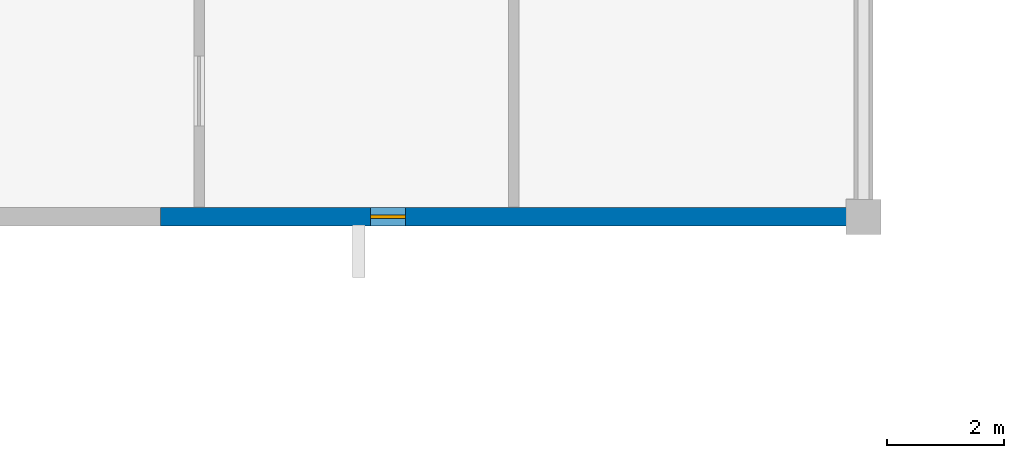
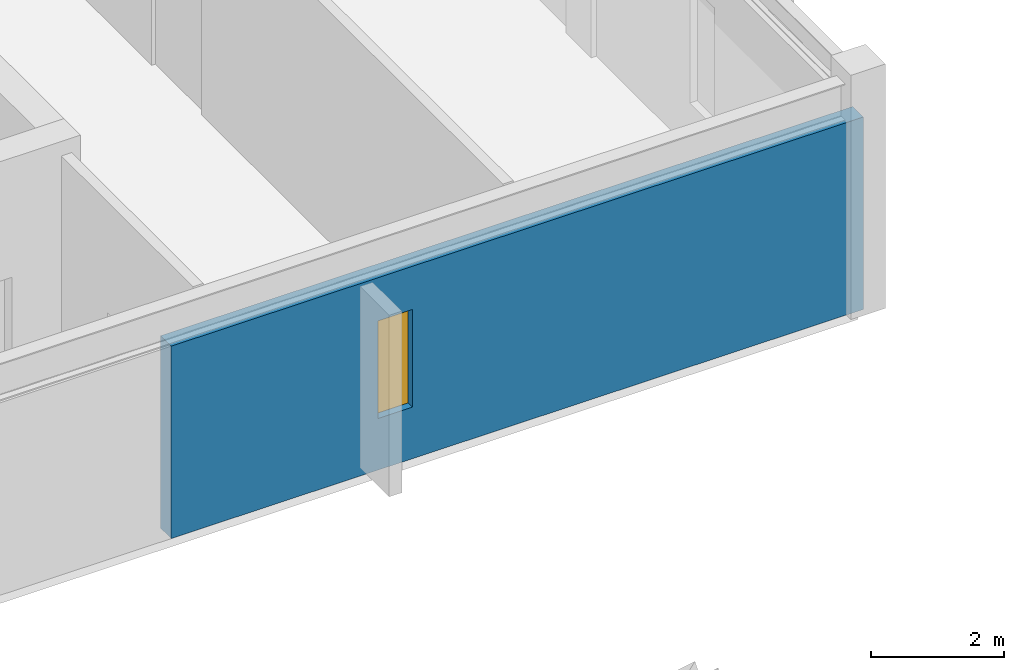
# One storey, part 50 of 67: 1 wall, 1 window, 1 opening.
"""IFC4 building model written with IfcOpenShell, lengths in metres."""

from ifc_helpers import new_model, si_unit, direction, frame, frame_2d, origin, place, context, subcontext, project, spatial, rectangle, extrude, material, layer, layer_set, type_object, element, fill, save


model = new_model("IFC4")

# Units and contexts
model_context = context("Model", 3, precision=1e-05, world=origin(), true_north=direction((0.0, 1.0)))
body_context = subcontext(model_context, "Body", "Model", "MODEL_VIEW")
ifc_project = project(units=[si_unit("LENGTHUNIT", "METRE"), si_unit("AREAUNIT", "SQUARE_METRE"), si_unit("VOLUMEUNIT", "CUBIC_METRE"), si_unit("PLANEANGLEUNIT", "RADIAN"), si_unit("MASSUNIT", "GRAM", prefix="KILO")], contexts=[model_context])

# Site, building, storey
site_placement = place(None, origin())
site = spatial("IfcSite", under=ifc_project, at=site_placement, CompositionType="ELEMENT")
building_placement = place(site_placement, origin())
building = spatial("IfcBuilding", under=site, at=building_placement, Name="Tarnveldt Square Police Headquarters", CompositionType="ELEMENT")
storey_placement = place(building_placement, frame((0.0, 0.0, 10.199951171875)))
storey = spatial("IfcBuildingStorey", under=building, at=storey_placement, Name="L02", CompositionType="ELEMENT", Elevation=10.199951171875)

# Wall, opening, window
ifc_material_1 = material(Name="Concrete 40 MPa", Category="concrete")
ifc_layer = layer(ifc_material_1, 0.320068359375)
ifc_layer_set = layer_set([ifc_layer], Name="Concrete 40 MPa")
wall_type = type_object("IfcWallType", Name="WL-EXT-BH320", PredefinedType="SOLIDWALL", material=ifc_layer_set)
wall_placement = place(storey_placement, frame((117.5400390625, 56.0, 0.0), z_axis=(0.0, 0.0, 1.0), x_axis=(1.0, 0.0, 0.0)))
wall = element("IfcWall", 1, at=wall_placement, inside=storey, type_object=wall_type, Name="L02 Brutalist Exterior Wall 0122", PredefinedType="SOLIDWALL", context=body_context, shape_type="SweptSolid", body=[
    extrude(rectangle(XDim=12.06005859375, YDim=0.320068359375, at=frame_2d((6.030029296875, 0.0))), origin(), (0.0, 0.0, 1.0), 3.5439453125),
])
opening_placement = place(wall_placement, frame((3.60009765625, 0.0, 0.949951171875)))
opening = element("IfcOpeningElement", 2, at=opening_placement, cuts=wall, Name="Opening W20", PredefinedType="OPENING", context=body_context, shape_type="SweptSolid", body=[
    extrude(rectangle(XDim=0.60009765625, YDim=1.800048828125, at=frame_2d((0.300048828125, 0.89990234375))), frame((0.0, 0.169921875, 0.0), z_axis=(0.0, -1.0, 0.0), x_axis=(1.0, 0.0, 0.0)), (0.0, 0.0, 1.0), 0.340087890625),
])
ifc_material_2 = material(Name="Triple-glazed low-e laminated vision glass", Category="glass")
window_type = type_object("IfcWindowType", Name="WIN-SLT-060x180", PartitioningType="SINGLE_PANEL", PredefinedType="WINDOW", material=ifc_material_2)
window_placement = place(opening_placement, origin())
window = element("IfcWindow", 3, at=window_placement, inside=storey, type_object=window_type, Name="L02 Deep-Reveal Brutalist Window 0044", OverallHeight=1.800048828125, OverallWidth=0.60009765625, PartitioningType="SINGLE_PANEL", PredefinedType="WINDOW", context=body_context, shape_type="SweptSolid", body=[
    extrude(rectangle(XDim=0.60009765625, YDim=1.800048828125, at=frame_2d((0.300048828125, 0.89990234375))), frame((0.0, 0.030029296875, 0.0), z_axis=(0.0, -1.0, 0.0), x_axis=(1.0, 0.0, 0.0)), (0.0, 0.0, 1.0), 0.06005859375),
])
fill(opening, window)

save(model, "model.ifc")
